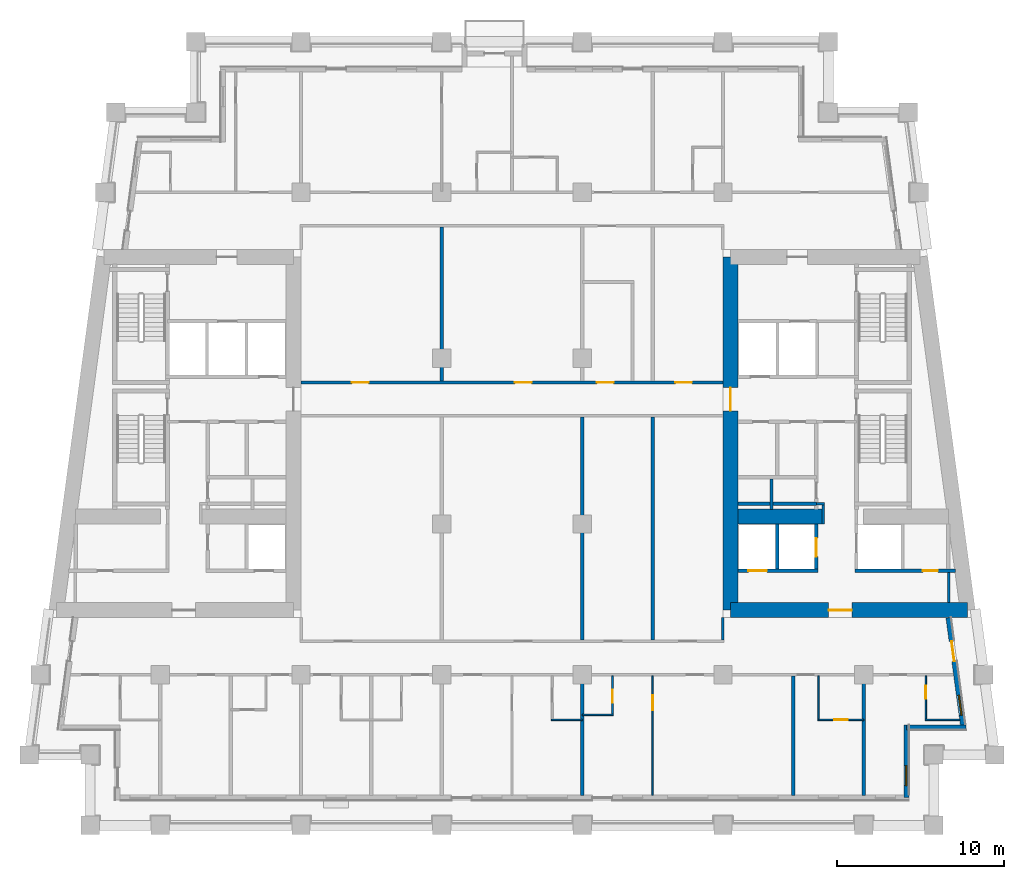
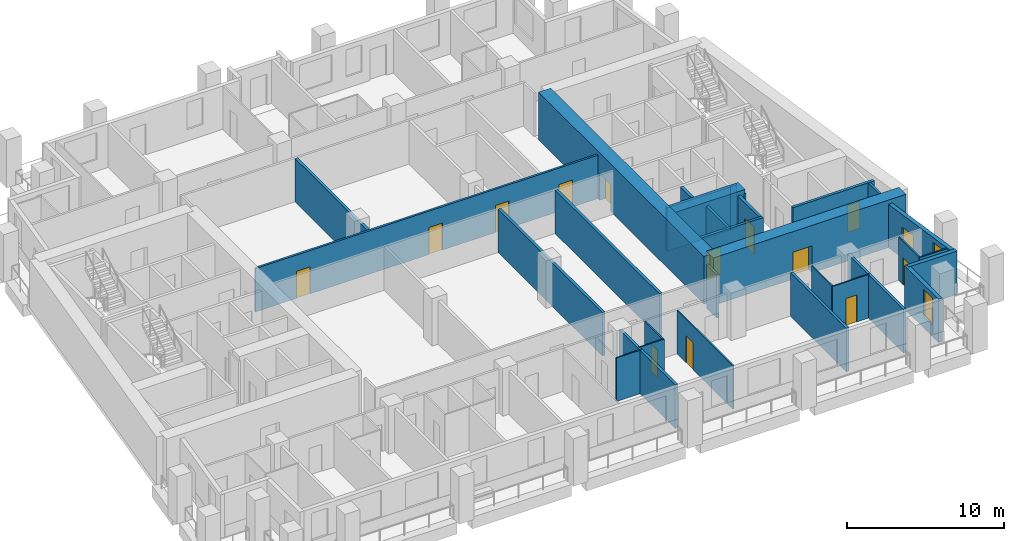
# One storey, part 5 of 13: 31 walls, 14 doors, 2 windows, 16 openings.
"""IFC4 building model written with IfcOpenShell, lengths in metres."""

from ifc_helpers import new_model, si_unit, direction, frame, frame_2d, origin, place, context, subcontext, project, spatial, rectangle, extrude, material, layer, layer_set, type_object, element, fill, save


model = new_model("IFC4")

# Units and contexts
model_context = context("Model", 3, precision=1e-05, world=origin(), true_north=direction((0.0, 1.0)))
body_context = subcontext(model_context, "Body", "Model", "MODEL_VIEW")
ifc_project = project(units=[si_unit("LENGTHUNIT", "METRE"), si_unit("AREAUNIT", "SQUARE_METRE"), si_unit("VOLUMEUNIT", "CUBIC_METRE"), si_unit("PLANEANGLEUNIT", "RADIAN"), si_unit("MASSUNIT", "GRAM", prefix="KILO")], contexts=[model_context])

# Site, building, storey
site_placement = place(None, origin())
site = spatial("IfcSite", under=ifc_project, at=site_placement, CompositionType="ELEMENT")
building_placement = place(site_placement, origin())
building = spatial("IfcBuilding", under=site, at=building_placement, Name="Candeia Pilgrim Tower and Theatre", CompositionType="ELEMENT")
storey_placement = place(building_placement, frame((0.0, 0.0, 155.199951171875)))
storey = spatial("IfcBuildingStorey", under=building, at=storey_placement, Name="L36", CompositionType="ELEMENT", Elevation=155.199951171875)

# Wall, opening, door
ifc_material_1 = material(Name="Concrete C60/75", Category="concrete")
ifc_layer_1 = layer(ifc_material_1, 0.89990234375)
ifc_layer_set_1 = layer_set([ifc_layer_1], Name="Core wall 900 C60/75")
wall_type_1 = type_object("IfcWallType", Name="Core wall 900 C60/75", PredefinedType="SHEAR", material=ifc_layer_set_1)
wall_1_placement = place(storey_placement, frame((140.6162109375, 110.85009765625, 0.0), z_axis=(0.0, 0.0, 1.0), x_axis=(-1.0, 0.0, 0.0)))
wall_1 = element("IfcWall", 1, at=wall_1_placement, inside=storey, type_object=wall_type_1, Name="Core wall E3", PredefinedType="SHEAR", context=body_context, shape_type="SweptSolid", body=[
    extrude(rectangle(XDim=14.166259765625, YDim=0.89990234375, at=frame_2d((7.0830078125, 0.0))), origin(), (0.0, 0.0, 1.0), 3.699951171875),
])
opening_1_placement = place(wall_1_placement, frame((6.911376953125, 0.0, 0.0)))
opening_1 = element("IfcOpeningElement", 2, at=opening_1_placement, cuts=wall_1, Name="Opening L36-D058", PredefinedType="OPENING", context=body_context, shape_type="SweptSolid", body=[
    extrude(rectangle(XDim=1.39990234375, YDim=2.10009765625, at=frame_2d((0.699951171875, 1.050048828125))), frame((0.0, 0.4599609375, 0.0), z_axis=(0.0, -1.0, 0.0), x_axis=(1.0, 0.0, 0.0)), (0.0, 0.0, 1.0), 0.919921875),
])
ifc_material_2 = material(Name="Steel fire door set", Category="steel")
door_type_1 = type_object("IfcDoorType", Name="D-1400-FD60", OperationType="NOTDEFINED", PredefinedType="DOOR", material=ifc_material_2)
door_1_placement = place(opening_1_placement, origin())
door_1 = element("IfcDoor", 3, at=door_1_placement, inside=storey, type_object=door_type_1, Name="Door L36-D058", OperationType="SINGLE_SWING_RIGHT", OverallHeight=2.10009765625, OverallWidth=1.39990234375, PredefinedType="DOOR", context=body_context, shape_type="SweptSolid", body=[
    extrude(rectangle(XDim=1.39990234375, YDim=2.10009765625, at=frame_2d((0.699951171875, 1.050048828125))), frame((0.0, 0.02490234375, 0.0), z_axis=(0.0, -1.0, 0.0), x_axis=(1.0, 0.0, 0.0)), (0.0, 0.0, 1.0), 0.050048828125),
])
fill(opening_1, door_1)

wall_2_placement = place(storey_placement, frame((126.449951171875, 110.85009765625, 0.0), z_axis=(0.0, 0.0, 1.0), x_axis=(0.0, 1.0, 0.0)))
wall_2 = element("IfcWall", 4, at=wall_2_placement, inside=storey, type_object=wall_type_1, Name="Core wall E4", PredefinedType="SHEAR", context=body_context, shape_type="SweptSolid", body=[
    extrude(rectangle(XDim=21.099853515625, YDim=0.89990234375, at=frame_2d((10.5498046875, 0.0))), origin(), (0.0, 0.0, 1.0), 3.699951171875),
])
opening_2_placement = place(wall_2_placement, frame((11.89990234375, 0.0, 0.0)))
opening_2 = element("IfcOpeningElement", 5, at=opening_2_placement, cuts=wall_2, Name="Opening L36-D060", PredefinedType="OPENING", context=body_context, shape_type="SweptSolid", body=[
    extrude(rectangle(XDim=1.39990234375, YDim=2.10009765625, at=frame_2d((0.699951171875, 1.050048828125))), frame((0.0, 0.4599609375, 0.0), z_axis=(0.0, -1.0, 0.0), x_axis=(1.0, 0.0, 0.0)), (0.0, 0.0, 1.0), 0.919921875),
])
door_2_placement = place(opening_2_placement, origin())
door_2 = element("IfcDoor", 6, at=door_2_placement, inside=storey, type_object=door_type_1, Name="Door L36-D060", OperationType="SINGLE_SWING_RIGHT", OverallHeight=2.10009765625, OverallWidth=1.39990234375, PredefinedType="DOOR", context=body_context, shape_type="SweptSolid", body=[
    extrude(rectangle(XDim=1.39990234375, YDim=2.10009765625, at=frame_2d((0.699951171875, 1.050048828125))), frame((0.0, 0.02490234375, 0.0), z_axis=(0.0, -1.0, 0.0), x_axis=(1.0, 0.0, 0.0)), (0.0, 0.0, 1.0), 0.050048828125),
])
fill(opening_2, door_2)

# Wall
wall_3_placement = place(storey_placement, frame((126.89990234375, 116.449951171875, 0.0), z_axis=(0.0, 0.0, 1.0), x_axis=(1.0, 0.0, 0.0)))
element("IfcWall", 7, at=wall_3_placement, inside=storey, type_object=wall_type_1, Name="Core wall E5", PredefinedType="SHEAR", context=body_context, shape_type="SweptSolid", body=[
    extrude(rectangle(XDim=5.10009765625, YDim=0.89990234375, at=frame_2d((2.550048828125, 0.0))), origin(), (0.0, 0.0, 1.0), 3.699951171875),
])

# Wall, opening, window
ifc_material_3 = material(Name="Ceramic block masonry", Category="masonry")
ifc_layer_2 = layer(ifc_material_3, 0.300048828125)
ifc_layer_set_2 = layer_set([ifc_layer_2], Name="EW1 glazing-line wall 300")
wall_type_2 = type_object("IfcWallType", Name="EW1 glazing-line wall 300", PredefinedType="SOLIDWALL", material=ifc_layer_set_2)
wall_4_placement = place(storey_placement, frame((136.949951171875, 99.64990234375, 0.0), z_axis=(0.0, 0.0, 1.0), x_axis=(0.0, 1.0, 0.0)))
wall_4 = element("IfcWall", 8, at=wall_4_placement, inside=storey, type_object=wall_type_2, Name="External wall L36-1.0", PredefinedType="SOLIDWALL", context=body_context, shape_type="SweptSolid", body=[
    extrude(rectangle(XDim=4.35009765625, YDim=0.300048828125, at=frame_2d((2.175048828125, 0.0))), origin(), (0.0, 0.0, 1.0), 3.380126953125),
])
opening_3_placement = place(wall_4_placement, frame((0.72509765625, 0.0, 0.89990234375)))
opening_3 = element("IfcOpeningElement", 9, at=opening_3_placement, cuts=wall_4, Name="Opening W-B", PredefinedType="OPENING", context=body_context, shape_type="SweptSolid", body=[
    extrude(rectangle(XDim=1.199951171875, YDim=2.10009765625, at=frame_2d((0.60009765625, 1.050048828125))), frame((0.0, 0.16015625, 0.0), z_axis=(0.0, -1.0, 0.0), x_axis=(1.0, 0.0, 0.0)), (0.0, 0.0, 1.0), 0.320068359375),
])
ifc_material_4 = material(Name="Aluminium framed double glazing", Category="aluminium")
window_type = type_object("IfcWindowType", Name="W-B window 1200x2100", PartitioningType="SINGLE_PANEL", PredefinedType="WINDOW", material=ifc_material_4)
window_1_placement = place(opening_3_placement, origin())
window_1 = element("IfcWindow", 10, at=window_1_placement, inside=storey, type_object=window_type, Name="Window W-B L36", OverallHeight=2.10009765625, OverallWidth=1.199951171875, PartitioningType="SINGLE_PANEL", PredefinedType="WINDOW", context=body_context, shape_type="SweptSolid", body=[
    extrude(rectangle(XDim=1.199951171875, YDim=2.10009765625, at=frame_2d((0.60009765625, 1.050048828125))), frame((0.0, 0.030029296875, 0.0), z_axis=(0.0, -1.0, 0.0), x_axis=(1.0, 0.0, 0.0)), (0.0, 0.0, 1.0), 0.06005859375),
])
fill(opening_3, window_1)

# Wall
wall_5_placement = place(storey_placement, frame((136.949951171875, 103.85009765625, 0.0), z_axis=(0.0, 0.0, 1.0), x_axis=(1.0, 0.0, 0.0)))
element("IfcWall", 11, at=wall_5_placement, inside=storey, type_object=wall_type_2, Name="External wall L36-2.0", PredefinedType="SOLIDWALL", context=body_context, shape_type="SweptSolid", body=[
    extrude(rectangle(XDim=3.569091796875, YDim=0.300048828125, at=frame_2d((1.78466796875, 0.0))), origin(), (0.0, 0.0, 1.0), 3.380126953125),
])

# Wall, openings, door, window
wall_6_placement = place(storey_placement, frame((140.34765625, 103.85009765625, 0.0), z_axis=(0.0, 0.0, 1.0), x_axis=(-0.133431549479, 0.991058031401, 0.0)))
wall_6 = element("IfcWall", 12, at=wall_6_placement, inside=storey, type_object=wall_type_2, Name="External wall L36-3.0", PredefinedType="SOLIDWALL", context=body_context, shape_type="SweptSolid", body=[
    extrude(rectangle(XDim=6.60888671875, YDim=0.300048828125, at=frame_2d((3.304443359375, 0.0))), origin(), (0.0, 0.0, 1.0), 3.380126953125),
])
opening_4_placement = place(wall_6_placement, frame((0.736572265625, 0.0, 0.89990234375)))
opening_4 = element("IfcOpeningElement", 13, at=opening_4_placement, cuts=wall_6, Name="Opening W-B", PredefinedType="OPENING", context=body_context, shape_type="SweptSolid", body=[
    extrude(rectangle(XDim=1.199951171875, YDim=2.10009765625, at=frame_2d((0.60009765625, 1.050048828125))), frame((0.0, 0.16015625, 0.0), z_axis=(0.0, -1.0, 0.0), x_axis=(1.0, 0.0, 0.0)), (0.0, 0.0, 1.0), 0.320068359375),
])
opening_5_placement = place(wall_6_placement, frame((3.990966796875, 0.0, 0.0)))
opening_5 = element("IfcOpeningElement", 14, at=opening_5_placement, cuts=wall_6, Name="Opening L36-ED346", PredefinedType="OPENING", context=body_context, shape_type="SweptSolid", body=[
    extrude(rectangle(XDim=1.199951171875, YDim=2.39990234375, at=frame_2d((0.60009765625, 1.199951171875))), frame((0.0, 0.16015625, 0.0), z_axis=(0.0, -1.0, 0.0), x_axis=(1.0, 0.0, 0.0)), (0.0, 0.0, 1.0), 0.320068359375),
])
ifc_material_5 = material(Name="Aluminium framed glazed door", Category="aluminium")
door_type_2 = type_object("IfcDoorType", Name="Loggia door 1200x2400", OperationType="DOUBLE_DOOR_SINGLE_SWING", PredefinedType="DOOR", material=ifc_material_5)
door_3_placement = place(opening_5_placement, origin())
door_3 = element("IfcDoor", 15, at=door_3_placement, inside=storey, type_object=door_type_2, Name="Loggia door L36-ED346", OperationType="DOUBLE_DOOR_SINGLE_SWING", OverallHeight=2.39990234375, OverallWidth=1.199951171875, PredefinedType="DOOR", context=body_context, shape_type="SweptSolid", body=[
    extrude(rectangle(XDim=1.199951171875, YDim=2.39990234375, at=frame_2d((0.60009765625, 1.199951171875))), frame((0.0, 0.02490234375, 0.0), z_axis=(0.0, -1.0, 0.0), x_axis=(1.0, 0.0, 0.0)), (0.0, 0.0, 1.0), 0.050048828125),
])
fill(opening_5, door_3)
window_2_placement = place(opening_4_placement, origin())
window_2 = element("IfcWindow", 16, at=window_2_placement, inside=storey, type_object=window_type, Name="Window W-B L36", OverallHeight=2.10009765625, OverallWidth=1.199951171875, PartitioningType="SINGLE_PANEL", PredefinedType="WINDOW", context=body_context, shape_type="SweptSolid", body=[
    extrude(rectangle(XDim=1.199951171875, YDim=2.10009765625, at=frame_2d((0.60009765625, 1.050048828125))), frame((0.0, 0.030029296875, 0.0), z_axis=(0.0, -1.0, 0.0), x_axis=(1.0, 0.0, 0.0)), (0.0, 0.0, 1.0), 0.06005859375),
])
fill(opening_4, window_2)

# Wall
ifc_material_6 = material(Name="Gypsum board partition on steel studs", Category="steel")
ifc_layer_3 = layer(ifc_material_6, 0.10009765625)
ifc_layer_set_3 = layer_set([ifc_layer_3], Name="PW-100 room partition")
wall_type_3 = type_object("IfcWallType", Name="PW-100 room partition", PredefinedType="PARTITIONING", material=ifc_layer_set_3)
wall_7_placement = place(storey_placement, frame((115.75, 104.300048828125, 0.0), z_axis=(0.0, 0.0, 1.0), x_axis=(1.0, 0.0, 0.0)))
element("IfcWall", 17, at=wall_7_placement, inside=storey, type_object=wall_type_3, Name="Room partition L36-003", PredefinedType="PARTITIONING", context=body_context, shape_type="SweptSolid", body=[
    extrude(rectangle(XDim=1.85009765625, YDim=0.10009765625, at=frame_2d((0.925048828125, 0.0))), origin(), (0.0, 0.0, 1.0), 3.380126953125),
])

# Wall, opening, door
wall_8_placement = place(storey_placement, frame((131.64990234375, 104.300048828125, 0.0), z_axis=(0.0, 0.0, 1.0), x_axis=(1.0, 0.0, 0.0)))
wall_8 = element("IfcWall", 18, at=wall_8_placement, inside=storey, type_object=wall_type_3, Name="Room partition L36-004", PredefinedType="PARTITIONING", context=body_context, shape_type="SweptSolid", body=[
    extrude(rectangle(XDim=2.75, YDim=0.10009765625, at=frame_2d((1.375, 0.0))), origin(), (0.0, 0.0, 1.0), 3.380126953125),
])
opening_6_placement = place(wall_8_placement, frame((1.0, 0.0, 0.0)))
opening_6 = element("IfcOpeningElement", 19, at=opening_6_placement, cuts=wall_8, Name="Opening L36-D032", PredefinedType="OPENING", context=body_context, shape_type="SweptSolid", body=[
    extrude(rectangle(XDim=0.800048828125, YDim=2.10009765625, at=frame_2d((0.39990234375, 1.050048828125))), frame((0.0, 0.06005859375, 0.0), z_axis=(0.0, -1.0, 0.0), x_axis=(1.0, 0.0, 0.0)), (0.0, 0.0, 1.0), 0.1201171875),
])
ifc_material_7 = material(Name="Timber door leaf", Category="wood")
door_type_3 = type_object("IfcDoorType", Name="D-800", OperationType="NOTDEFINED", PredefinedType="DOOR", material=ifc_material_7)
door_4_placement = place(opening_6_placement, origin())
door_4 = element("IfcDoor", 20, at=door_4_placement, inside=storey, type_object=door_type_3, Name="Door L36-D032", OperationType="SINGLE_SWING_RIGHT", OverallHeight=2.10009765625, OverallWidth=0.800048828125, PredefinedType="DOOR", context=body_context, shape_type="SweptSolid", body=[
    extrude(rectangle(XDim=0.800048828125, YDim=2.10009765625, at=frame_2d((0.39990234375, 1.050048828125))), frame((0.0, 0.02490234375, 0.0), z_axis=(0.0, -1.0, 0.0), x_axis=(1.0, 0.0, 0.0)), (0.0, 0.0, 1.0), 0.050048828125),
])
fill(opening_6, door_4)

# Walls
wall_9_placement = place(storey_placement, frame((138.070068359375, 104.300048828125, 0.0), z_axis=(0.0, 0.0, 1.0), x_axis=(1.0, 0.0, 0.0)))
element("IfcWall", 21, at=wall_9_placement, inside=storey, type_object=wall_type_3, Name="Room partition L36-005", PredefinedType="PARTITIONING", context=body_context, shape_type="SweptSolid", body=[
    extrude(rectangle(XDim=2.07568359375, YDim=0.10009765625, at=frame_2d((1.037841796875, 0.0))), origin(), (0.0, 0.0, 1.0), 3.380126953125),
])
wall_10_placement = place(storey_placement, frame((117.60009765625, 104.60009765625, 0.0), z_axis=(0.0, 0.0, 1.0), x_axis=(1.0, 0.0, 0.0)))
element("IfcWall", 22, at=wall_10_placement, inside=storey, type_object=wall_type_3, Name="Room partition L36-006", PredefinedType="PARTITIONING", context=body_context, shape_type="SweptSolid", body=[
    extrude(rectangle(XDim=1.849853515625, YDim=0.10009765625, at=frame_2d((0.9248046875, 0.0))), origin(), (0.0, 0.0, 1.0), 3.380126953125),
])

# Wall, opening, door
wall_11_placement = place(storey_placement, frame((119.39990234375, 104.64990234375, 0.0), z_axis=(0.0, 0.0, 1.0), x_axis=(0.0, 1.0, 0.0)))
wall_11 = element("IfcWall", 23, at=wall_11_placement, inside=storey, type_object=wall_type_3, Name="Room partition L36-089", PredefinedType="PARTITIONING", context=body_context, shape_type="SweptSolid", body=[
    extrude(rectangle(XDim=2.275146484375, YDim=0.10009765625, at=frame_2d((1.1376953125, 0.0))), origin(), (0.0, 0.0, 1.0), 3.380126953125),
])
opening_7_placement = place(wall_11_placement, frame((0.659912109375, 0.0, 0.0)))
opening_7 = element("IfcOpeningElement", 24, at=opening_7_placement, cuts=wall_11, Name="Opening L36-D030", PredefinedType="OPENING", context=body_context, shape_type="SweptSolid", body=[
    extrude(rectangle(XDim=0.800048828125, YDim=2.10009765625, at=frame_2d((0.39990234375, 1.050048828125))), frame((0.0, 0.06005859375, 0.0), z_axis=(0.0, -1.0, 0.0), x_axis=(1.0, 0.0, 0.0)), (0.0, 0.0, 1.0), 0.1201171875),
])
door_5_placement = place(opening_7_placement, origin())
door_5 = element("IfcDoor", 25, at=door_5_placement, inside=storey, type_object=door_type_3, Name="Door L36-D030", OperationType="SINGLE_SWING_RIGHT", OverallHeight=2.10009765625, OverallWidth=0.800048828125, PredefinedType="DOOR", context=body_context, shape_type="SweptSolid", body=[
    extrude(rectangle(XDim=0.800048828125, YDim=2.10009765625, at=frame_2d((0.39990234375, 1.050048828125))), frame((0.0, 0.02490234375, 0.0), z_axis=(0.0, -1.0, 0.0), x_axis=(1.0, 0.0, 0.0)), (0.0, 0.0, 1.0), 0.050048828125),
])
fill(opening_7, door_5)

wall_12_placement = place(storey_placement, frame((121.800048828125, 99.7900390625, 0.0), z_axis=(0.0, 0.0, 1.0), x_axis=(0.0, 1.0, 0.0)))
wall_12 = element("IfcWall", 26, at=wall_12_placement, inside=storey, type_object=wall_type_3, Name="Room partition L36-091", PredefinedType="PARTITIONING", context=body_context, shape_type="SweptSolid", body=[
    extrude(rectangle(XDim=7.135009765625, YDim=0.10009765625, at=frame_2d((3.5673828125, 0.0))), origin(), (0.0, 0.0, 1.0), 3.380126953125),
])
opening_8_placement = place(wall_12_placement, frame((5.074951171875, 0.0, 0.0)))
opening_8 = element("IfcOpeningElement", 27, at=opening_8_placement, cuts=wall_12, Name="Opening L36-D029", PredefinedType="OPENING", context=body_context, shape_type="SweptSolid", body=[
    extrude(rectangle(XDim=0.89990234375, YDim=2.10009765625, at=frame_2d((0.449951171875, 1.050048828125))), frame((0.0, 0.06005859375, 0.0), z_axis=(0.0, -1.0, 0.0), x_axis=(1.0, 0.0, 0.0)), (0.0, 0.0, 1.0), 0.1201171875),
])
door_type_4 = type_object("IfcDoorType", Name="D-900", OperationType="NOTDEFINED", PredefinedType="DOOR", material=ifc_material_7)
door_6_placement = place(opening_8_placement, origin())
door_6 = element("IfcDoor", 28, at=door_6_placement, inside=storey, type_object=door_type_4, Name="Door L36-D029", OperationType="SINGLE_SWING_LEFT", OverallHeight=2.10009765625, OverallWidth=0.89990234375, PredefinedType="DOOR", context=body_context, shape_type="SweptSolid", body=[
    extrude(rectangle(XDim=0.89990234375, YDim=2.10009765625, at=frame_2d((0.449951171875, 1.050048828125))), frame((0.0, 0.02490234375, 0.0), z_axis=(0.0, -1.0, 0.0), x_axis=(1.0, 0.0, 0.0)), (0.0, 0.0, 1.0), 0.050048828125),
])
fill(opening_8, door_6)

# Wall
wall_13_placement = place(storey_placement, frame((131.699951171875, 104.35009765625, 0.0), z_axis=(0.0, 0.0, 1.0), x_axis=(0.0, 1.0, 0.0)))
element("IfcWall", 29, at=wall_13_placement, inside=storey, type_object=wall_type_3, Name="Room partition L36-107", PredefinedType="PARTITIONING", context=body_context, shape_type="SweptSolid", body=[
    extrude(rectangle(XDim=2.574951171875, YDim=0.10009765625, at=frame_2d((1.28759765625, 0.0))), origin(), (0.0, 0.0, 1.0), 3.380126953125),
])

# Wall, opening, door
wall_14_placement = place(storey_placement, frame((138.1201171875, 104.35009765625, 0.0), z_axis=(0.0, 0.0, 1.0), x_axis=(0.0, 1.0, 0.0)))
wall_14 = element("IfcWall", 30, at=wall_14_placement, inside=storey, type_object=wall_type_3, Name="Room partition L36-118", PredefinedType="PARTITIONING", context=body_context, shape_type="SweptSolid", body=[
    extrude(rectangle(XDim=2.574951171875, YDim=0.10009765625, at=frame_2d((1.28759765625, 0.0))), origin(), (0.0, 0.0, 1.0), 3.380126953125),
])
opening_9_placement = place(wall_14_placement, frame((1.199951171875, 0.0, 0.0)))
opening_9 = element("IfcOpeningElement", 31, at=opening_9_placement, cuts=wall_14, Name="Opening L36-D034", PredefinedType="OPENING", context=body_context, shape_type="SweptSolid", body=[
    extrude(rectangle(XDim=0.800048828125, YDim=2.10009765625, at=frame_2d((0.39990234375, 1.050048828125))), frame((0.0, 0.06005859375, 0.0), z_axis=(0.0, -1.0, 0.0), x_axis=(1.0, 0.0, 0.0)), (0.0, 0.0, 1.0), 0.1201171875),
])
door_7_placement = place(opening_9_placement, origin())
door_7 = element("IfcDoor", 32, at=door_7_placement, inside=storey, type_object=door_type_3, Name="Door L36-D034", OperationType="SINGLE_SWING_RIGHT", OverallHeight=2.10009765625, OverallWidth=0.800048828125, PredefinedType="DOOR", context=body_context, shape_type="SweptSolid", body=[
    extrude(rectangle(XDim=0.800048828125, YDim=2.10009765625, at=frame_2d((0.39990234375, 1.050048828125))), frame((0.0, 0.02490234375, 0.0), z_axis=(0.0, -1.0, 0.0), x_axis=(1.0, 0.0, 0.0)), (0.0, 0.0, 1.0), 0.050048828125),
])
fill(opening_9, door_7)

# Walls
ifc_layer_4 = layer(ifc_material_6, 0.14990234375)
ifc_layer_set_4 = layer_set([ifc_layer_4], Name="PW-150 lobby wall")
wall_type_4 = type_object("IfcWallType", Name="PW-150 lobby wall", PredefinedType="PARTITIONING", material=ifc_layer_set_4)
wall_15_placement = place(storey_placement, frame((131.572998046875, 117.199951171875, 0.0), z_axis=(0.0, 0.0, 1.0), x_axis=(1.0, 0.0, 0.0)))
element("IfcWall", 33, at=wall_15_placement, inside=storey, type_object=wall_type_4, Name="Lobby wall L36-017", PredefinedType="PARTITIONING", context=body_context, shape_type="SweptSolid", body=[
    extrude(rectangle(XDim=0.501953125, YDim=0.14990234375, at=frame_2d((0.2509765625, 0.0))), origin(), (0.0, 0.0, 1.0), 3.380126953125),
])
wall_16_placement = place(storey_placement, frame((132.0, 116.0, 0.0), z_axis=(0.0, 0.0, 1.0), x_axis=(0.0, 1.0, 0.0)))
element("IfcWall", 34, at=wall_16_placement, inside=storey, type_object=wall_type_4, Name="Lobby wall L36-108", PredefinedType="PARTITIONING", context=body_context, shape_type="SweptSolid", body=[
    extrude(rectangle(XDim=1.125, YDim=0.14990234375, at=frame_2d((0.5625, 0.0))), origin(), (0.0, 0.0, 1.0), 3.380126953125),
])
wall_17_placement = place(storey_placement, frame((139.471923828125, 111.300048828125, 0.0), z_axis=(0.0, 0.0, 1.0), x_axis=(0.0, 1.0, 0.0)))
element("IfcWall", 35, at=wall_17_placement, inside=storey, type_object=wall_type_4, Name="Lobby wall L36-120", PredefinedType="PARTITIONING", context=body_context, shape_type="SweptSolid", body=[
    extrude(rectangle(XDim=1.800048828125, YDim=0.14990234375, at=frame_2d((0.89990234375, 0.0))), origin(), (0.0, 0.0, 1.0), 3.380126953125),
])

# Wall, openings, doors
ifc_layer_5 = layer(ifc_material_6, 0.14990234375)
ifc_layer_set_5 = layer_set([ifc_layer_5], Name="PW-150 unit wall")
wall_type_5 = type_object("IfcWallType", Name="PW-150 unit wall", PredefinedType="PARTITIONING", material=ifc_layer_set_5)
wall_18_placement = place(storey_placement, frame((100.800048828125, 124.449951171875, 0.0), z_axis=(0.0, 0.0, 1.0), x_axis=(1.0, 0.0, 0.0)))
wall_18 = element("IfcWall", 36, at=wall_18_placement, inside=storey, type_object=wall_type_5, Name="Unit wall L36-031", PredefinedType="PARTITIONING", context=body_context, shape_type="SweptSolid", body=[
    extrude(rectangle(XDim=25.199951171875, YDim=0.14990234375, at=frame_2d((12.60009765625, 0.0))), origin(), (0.0, 0.0, 1.0), 3.380126953125),
])
opening_10_placement = place(wall_18_placement, frame((3.030029296875, 0.0, 0.0)))
opening_10 = element("IfcOpeningElement", 37, at=opening_10_placement, cuts=wall_18, Name="Opening L36-D051", PredefinedType="OPENING", context=body_context, shape_type="SweptSolid", body=[
    extrude(rectangle(XDim=1.0, YDim=2.10009765625, at=frame_2d((0.5, 1.050048828125))), frame((0.0, 0.0849609375, 0.0), z_axis=(0.0, -1.0, 0.0), x_axis=(1.0, 0.0, 0.0)), (0.0, 0.0, 1.0), 0.169921875),
])
opening_11_placement = place(wall_18_placement, frame((12.77001953125, 0.0, 0.0)))
opening_11 = element("IfcOpeningElement", 38, at=opening_11_placement, cuts=wall_18, Name="Opening L36-D052", PredefinedType="OPENING", context=body_context, shape_type="SweptSolid", body=[
    extrude(rectangle(XDim=1.0, YDim=2.10009765625, at=frame_2d((0.5, 1.050048828125))), frame((0.0, 0.0849609375, 0.0), z_axis=(0.0, -1.0, 0.0), x_axis=(1.0, 0.0, 0.0)), (0.0, 0.0, 1.0), 0.169921875),
])
opening_12_placement = place(wall_18_placement, frame((17.669921875, 0.0, 0.0)))
opening_12 = element("IfcOpeningElement", 39, at=opening_12_placement, cuts=wall_18, Name="Opening L36-D053", PredefinedType="OPENING", context=body_context, shape_type="SweptSolid", body=[
    extrude(rectangle(XDim=1.0, YDim=2.10009765625, at=frame_2d((0.5, 1.050048828125))), frame((0.0, 0.0849609375, 0.0), z_axis=(0.0, -1.0, 0.0), x_axis=(1.0, 0.0, 0.0)), (0.0, 0.0, 1.0), 0.169921875),
])
opening_13_placement = place(wall_18_placement, frame((22.35009765625, 0.0, 0.0)))
opening_13 = element("IfcOpeningElement", 40, at=opening_13_placement, cuts=wall_18, Name="Opening L36-D054", PredefinedType="OPENING", context=body_context, shape_type="SweptSolid", body=[
    extrude(rectangle(XDim=1.0, YDim=2.10009765625, at=frame_2d((0.5, 1.050048828125))), frame((0.0, 0.0849609375, 0.0), z_axis=(0.0, -1.0, 0.0), x_axis=(1.0, 0.0, 0.0)), (0.0, 0.0, 1.0), 0.169921875),
])
door_type_5 = type_object("IfcDoorType", Name="D-1000-FD30S", OperationType="NOTDEFINED", PredefinedType="DOOR", material=ifc_material_2)
door_8_placement = place(opening_10_placement, origin())
door_8 = element("IfcDoor", 41, at=door_8_placement, inside=storey, type_object=door_type_5, Name="Door L36-D051", OperationType="SINGLE_SWING_LEFT", OverallHeight=2.10009765625, OverallWidth=1.0, PredefinedType="DOOR", context=body_context, shape_type="SweptSolid", body=[
    extrude(rectangle(XDim=1.0, YDim=2.10009765625, at=frame_2d((0.5, 1.050048828125))), frame((0.0, 0.02490234375, 0.0), z_axis=(0.0, -1.0, 0.0), x_axis=(1.0, 0.0, 0.0)), (0.0, 0.0, 1.0), 0.050048828125),
])
fill(opening_10, door_8)
door_9_placement = place(opening_11_placement, origin())
door_9 = element("IfcDoor", 42, at=door_9_placement, inside=storey, type_object=door_type_5, Name="Door L36-D052", OperationType="SINGLE_SWING_RIGHT", OverallHeight=2.10009765625, OverallWidth=1.0, PredefinedType="DOOR", context=body_context, shape_type="SweptSolid", body=[
    extrude(rectangle(XDim=1.0, YDim=2.10009765625, at=frame_2d((0.5, 1.050048828125))), frame((0.0, 0.02490234375, 0.0), z_axis=(0.0, -1.0, 0.0), x_axis=(1.0, 0.0, 0.0)), (0.0, 0.0, 1.0), 0.050048828125),
])
fill(opening_11, door_9)
door_10_placement = place(opening_12_placement, origin())
door_10 = element("IfcDoor", 43, at=door_10_placement, inside=storey, type_object=door_type_5, Name="Door L36-D053", OperationType="SINGLE_SWING_LEFT", OverallHeight=2.10009765625, OverallWidth=1.0, PredefinedType="DOOR", context=body_context, shape_type="SweptSolid", body=[
    extrude(rectangle(XDim=1.0, YDim=2.10009765625, at=frame_2d((0.5, 1.050048828125))), frame((0.0, 0.02490234375, 0.0), z_axis=(0.0, -1.0, 0.0), x_axis=(1.0, 0.0, 0.0)), (0.0, 0.0, 1.0), 0.050048828125),
])
fill(opening_12, door_10)
door_11_placement = place(opening_13_placement, origin())
door_11 = element("IfcDoor", 44, at=door_11_placement, inside=storey, type_object=door_type_5, Name="Door L36-D054", OperationType="SINGLE_SWING_RIGHT", OverallHeight=2.10009765625, OverallWidth=1.0, PredefinedType="DOOR", context=body_context, shape_type="SweptSolid", body=[
    extrude(rectangle(XDim=1.0, YDim=2.10009765625, at=frame_2d((0.5, 1.050048828125))), frame((0.0, 0.02490234375, 0.0), z_axis=(0.0, -1.0, 0.0), x_axis=(1.0, 0.0, 0.0)), (0.0, 0.0, 1.0), 0.050048828125),
])
fill(opening_13, door_11)

# Walls
wall_19_placement = place(storey_placement, frame((126.0, 109.074951171875, 0.0), z_axis=(0.0, 0.0, 1.0), x_axis=(0.0, 1.0, 0.0)))
element("IfcWall", 45, at=wall_19_placement, inside=storey, type_object=wall_type_5, Name="Unit wall L36-097", PredefinedType="PARTITIONING", context=body_context, shape_type="SweptSolid", body=[
    extrude(rectangle(XDim=1.324951171875, YDim=0.14990234375, at=frame_2d((0.66259765625, 0.0))), origin(), (0.0, 0.0, 1.0), 3.380126953125),
])
ifc_layer_6 = layer(ifc_material_6, 0.199951171875)
ifc_layer_set_6 = layer_set([ifc_layer_6], Name="PW-200 party wall")
wall_type_6 = type_object("IfcWallType", Name="PW-200 party wall", PredefinedType="PARTITIONING", material=ifc_layer_set_6)
wall_20_placement = place(storey_placement, frame((109.199951171875, 124.52490234375, 0.0), z_axis=(0.0, 0.0, 1.0), x_axis=(0.0, 1.0, 0.0)))
element("IfcWall", 46, at=wall_20_placement, inside=storey, type_object=wall_type_6, Name="Party wall L36-080", PredefinedType="PARTITIONING", context=body_context, shape_type="SweptSolid", body=[
    extrude(rectangle(XDim=9.2001953125, YDim=0.199951171875, at=frame_2d((4.60009765625, 0.0))), origin(), (0.0, 0.0, 1.0), 3.380126953125),
])
wall_21_placement = place(storey_placement, frame((117.60009765625, 99.7900390625, 0.0), z_axis=(0.0, 0.0, 1.0), x_axis=(0.0, 1.0, 0.0)))
element("IfcWall", 47, at=wall_21_placement, inside=storey, type_object=wall_type_6, Name="Party wall L36-086", PredefinedType="PARTITIONING", context=body_context, shape_type="SweptSolid", body=[
    extrude(rectangle(XDim=7.135009765625, YDim=0.199951171875, at=frame_2d((3.5673828125, 0.0))), origin(), (0.0, 0.0, 1.0), 3.380126953125),
])
for number, where, z_axis, x_axis, name in (
    (48, (117.60009765625, 109.074951171875, 0.0), (0.0, 0.0, 1.0), (0.0, 1.0, 0.0), "Party wall L36-087"),
    (49, (121.800048828125, 109.074951171875, 0.0), (0.0, 0.0, 1.0), (0.0, 1.0, 0.0), "Party wall L36-092"),
):
    element("IfcWall", number, at=place(storey_placement, frame(where, z_axis=z_axis, x_axis=x_axis)), inside=storey, type_object=wall_type_6, Name=name, PredefinedType="PARTITIONING", context=body_context, shape_type="SweptSolid", body=[
        extrude(rectangle(XDim=13.300048828125, YDim=0.199951171875, at=frame_2d((6.64990234375, 0.0))), origin(), (0.0, 0.0, 1.0), 3.380126953125),
    ])
for number, where, z_axis, x_axis, name in (
    (50, (130.199951171875, 99.7900390625, 0.0), (0.0, 0.0, 1.0), (0.0, 1.0, 0.0), "Party wall L36-103"),
    (51, (134.39990234375, 99.7900390625, 0.0), (0.0, 0.0, 1.0), (0.0, 1.0, 0.0), "Party wall L36-114"),
):
    element("IfcWall", number, at=place(storey_placement, frame(where, z_axis=z_axis, x_axis=x_axis)), inside=storey, type_object=wall_type_6, Name=name, PredefinedType="PARTITIONING", context=body_context, shape_type="SweptSolid", body=[
        extrude(rectangle(XDim=7.135009765625, YDim=0.199951171875, at=frame_2d((3.5673828125, 0.0))), origin(), (0.0, 0.0, 1.0), 3.380126953125),
    ])

# Wall, opening, door
ifc_material_8 = material(Name="Concrete C40/50", Category="concrete")
ifc_layer_7 = layer(ifc_material_8, 0.199951171875)
ifc_layer_set_7 = layer_set([ifc_layer_7], Name="SW-200 shaft wall")
wall_type_7 = type_object("IfcWallType", Name="SW-200 shaft wall", PredefinedType="PARTITIONING", material=ifc_layer_set_7)
wall_22_placement = place(storey_placement, frame((126.89990234375, 113.199951171875, 0.0), z_axis=(0.0, 0.0, 1.0), x_axis=(1.0, 0.0, 0.0)))
wall_22 = element("IfcWall", 52, at=wall_22_placement, inside=storey, type_object=wall_type_7, Name="Shaft wall L36-012", PredefinedType="PARTITIONING", context=body_context, shape_type="SweptSolid", body=[
    extrude(rectangle(XDim=4.773193359375, YDim=0.199951171875, at=frame_2d((2.38671875, 0.0))), origin(), (0.0, 0.0, 1.0), 3.380126953125),
])
opening_14_placement = place(wall_22_placement, frame((0.617919921875, 0.0, 0.0)))
opening_14 = element("IfcOpeningElement", 53, at=opening_14_placement, cuts=wall_22, Name="Opening L36-LD08", PredefinedType="OPENING", context=body_context, shape_type="SweptSolid", body=[
    extrude(rectangle(XDim=1.10009765625, YDim=2.10009765625, at=frame_2d((0.550048828125, 1.050048828125))), frame((0.0, 0.10986328125, 0.0), z_axis=(0.0, -1.0, 0.0), x_axis=(1.0, 0.0, 0.0)), (0.0, 0.0, 1.0), 0.219970703125),
])
ifc_material_9 = material(Name="Glazed aluminium landing door", Category="aluminium")
door_type_6 = type_object("IfcDoorType", Name="LD-1100-EI120", OperationType="SLIDING_TO_LEFT", PredefinedType="DOOR", material=ifc_material_9)
door_12_placement = place(opening_14_placement, origin())
door_12 = element("IfcDoor", 54, at=door_12_placement, inside=storey, type_object=door_type_6, Name="Landing door 08 L36", OperationType="SLIDING_TO_LEFT", OverallHeight=2.10009765625, OverallWidth=1.10009765625, PredefinedType="DOOR", context=body_context, shape_type="SweptSolid", body=[
    extrude(rectangle(XDim=1.10009765625, YDim=2.10009765625, at=frame_2d((0.550048828125, 1.050048828125))), frame((0.0, 0.02490234375, 0.0), z_axis=(0.0, -1.0, 0.0), x_axis=(1.0, 0.0, 0.0)), (0.0, 0.0, 1.0), 0.050048828125),
])
fill(opening_14, door_12)

wall_23_placement = place(storey_placement, frame((133.873046875, 113.199951171875, 0.0), z_axis=(0.0, 0.0, 1.0), x_axis=(1.0, 0.0, 0.0)))
wall_23 = element("IfcWall", 55, at=wall_23_placement, inside=storey, type_object=wall_type_7, Name="Shaft wall L36-013", PredefinedType="PARTITIONING", context=body_context, shape_type="SweptSolid", body=[
    extrude(rectangle(XDim=6.002685546875, YDim=0.199951171875, at=frame_2d((3.00146484375, 0.0))), origin(), (0.0, 0.0, 1.0), 3.380126953125),
])
opening_15_placement = place(wall_23_placement, frame((4.06201171875, 0.0, 0.0)))
opening_15 = element("IfcOpeningElement", 56, at=opening_15_placement, cuts=wall_23, Name="Opening L36-D015", PredefinedType="OPENING", context=body_context, shape_type="SweptSolid", body=[
    extrude(rectangle(XDim=0.89990234375, YDim=2.10009765625, at=frame_2d((0.449951171875, 1.050048828125))), frame((0.0, 0.10986328125, 0.0), z_axis=(0.0, -1.0, 0.0), x_axis=(1.0, 0.0, 0.0)), (0.0, 0.0, 1.0), 0.219970703125),
])
door_type_7 = type_object("IfcDoorType", Name="D-900-FD60", OperationType="NOTDEFINED", PredefinedType="DOOR", material=ifc_material_2)
door_13_placement = place(opening_15_placement, origin())
door_13 = element("IfcDoor", 57, at=door_13_placement, inside=storey, type_object=door_type_7, Name="Door L36-D015", OperationType="SINGLE_SWING_LEFT", OverallHeight=2.10009765625, OverallWidth=0.89990234375, PredefinedType="DOOR", context=body_context, shape_type="SweptSolid", body=[
    extrude(rectangle(XDim=0.89990234375, YDim=2.10009765625, at=frame_2d((0.449951171875, 1.050048828125))), frame((0.0, 0.02490234375, 0.0), z_axis=(0.0, -1.0, 0.0), x_axis=(1.0, 0.0, 0.0)), (0.0, 0.0, 1.0), 0.050048828125),
])
fill(opening_15, door_13)

# Walls
wall_24_placement = place(storey_placement, frame((126.89990234375, 117.199951171875, 0.0), z_axis=(0.0, 0.0, 1.0), x_axis=(1.0, 0.0, 0.0)))
element("IfcWall", 58, at=wall_24_placement, inside=storey, type_object=wall_type_7, Name="Shaft wall L36-015", PredefinedType="PARTITIONING", context=body_context, shape_type="SweptSolid", body=[
    extrude(rectangle(XDim=4.673095703125, YDim=0.199951171875, at=frame_2d((2.33642578125, 0.0))), origin(), (0.0, 0.0, 1.0), 3.380126953125),
])
wall_25_placement = place(storey_placement, frame((128.89990234375, 116.8701171875, 0.0), z_axis=(0.0, 0.0, 1.0), x_axis=(0.0, 1.0, 0.0)))
element("IfcWall", 59, at=wall_25_placement, inside=storey, type_object=wall_type_7, Name="Shaft wall L36-099", PredefinedType="PARTITIONING", context=body_context, shape_type="SweptSolid", body=[
    extrude(rectangle(XDim=1.829833984375, YDim=0.199951171875, at=frame_2d((0.9150390625, 0.0))), origin(), (0.0, 0.0, 1.0), 3.380126953125),
])
wall_26_placement = place(storey_placement, frame((129.236572265625, 113.300048828125, 0.0), z_axis=(0.0, 0.0, 1.0), x_axis=(0.0, 1.0, 0.0)))
element("IfcWall", 60, at=wall_26_placement, inside=storey, type_object=wall_type_7, Name="Shaft wall L36-100", PredefinedType="PARTITIONING", context=body_context, shape_type="SweptSolid", body=[
    extrude(rectangle(XDim=2.699951171875, YDim=0.199951171875, at=frame_2d((1.35009765625, 0.0))), origin(), (0.0, 0.0, 1.0), 3.380126953125),
])

# Wall, opening, door
wall_27_placement = place(storey_placement, frame((131.572998046875, 113.300048828125, 0.0), z_axis=(0.0, 0.0, 1.0), x_axis=(0.0, 1.0, 0.0)))
wall_27 = element("IfcWall", 61, at=wall_27_placement, inside=storey, type_object=wall_type_7, Name="Shaft wall L36-104", PredefinedType="PARTITIONING", context=body_context, shape_type="SweptSolid", body=[
    extrude(rectangle(XDim=2.699951171875, YDim=0.199951171875, at=frame_2d((1.35009765625, 0.0))), origin(), (0.0, 0.0, 1.0), 3.380126953125),
])
opening_16_placement = place(wall_27_placement, frame((0.75, 0.0, 0.0)))
opening_16 = element("IfcOpeningElement", 62, at=opening_16_placement, cuts=wall_27, Name="Opening L36-LD07", PredefinedType="OPENING", context=body_context, shape_type="SweptSolid", body=[
    extrude(rectangle(XDim=1.10009765625, YDim=2.10009765625, at=frame_2d((0.550048828125, 1.050048828125))), frame((0.0, 0.10986328125, 0.0), z_axis=(0.0, -1.0, 0.0), x_axis=(1.0, 0.0, 0.0)), (0.0, 0.0, 1.0), 0.219970703125),
])
door_14_placement = place(opening_16_placement, origin())
door_14 = element("IfcDoor", 63, at=door_14_placement, inside=storey, type_object=door_type_6, Name="Landing door 07 L36", OperationType="SLIDING_TO_LEFT", OverallHeight=2.10009765625, OverallWidth=1.10009765625, PredefinedType="DOOR", context=body_context, shape_type="SweptSolid", body=[
    extrude(rectangle(XDim=1.10009765625, YDim=2.10009765625, at=frame_2d((0.550048828125, 1.050048828125))), frame((0.0, 0.02490234375, 0.0), z_axis=(0.0, -1.0, 0.0), x_axis=(1.0, 0.0, 0.0)), (0.0, 0.0, 1.0), 0.050048828125),
])
fill(opening_16, door_14)

save(model, "model.ifc")
